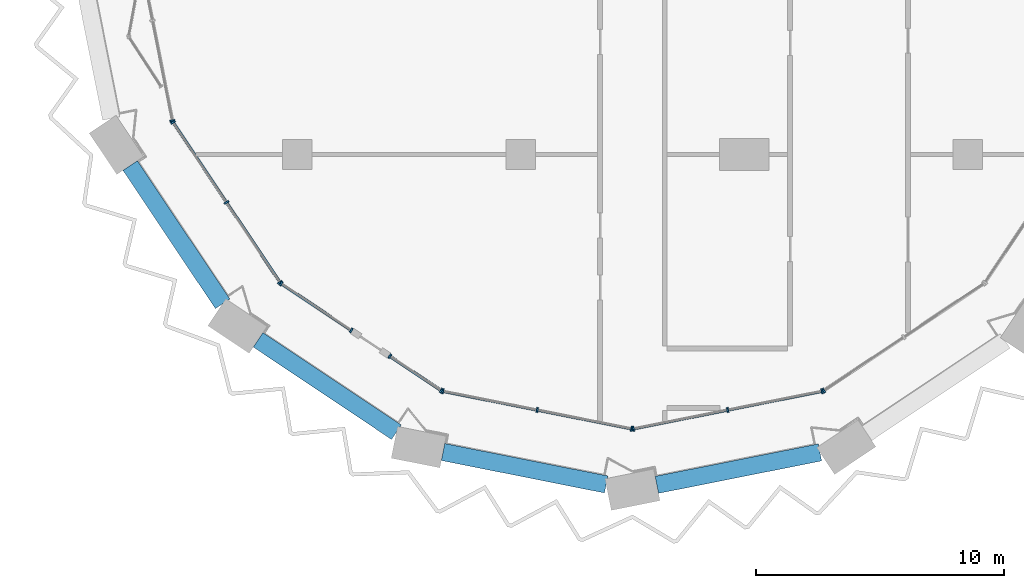
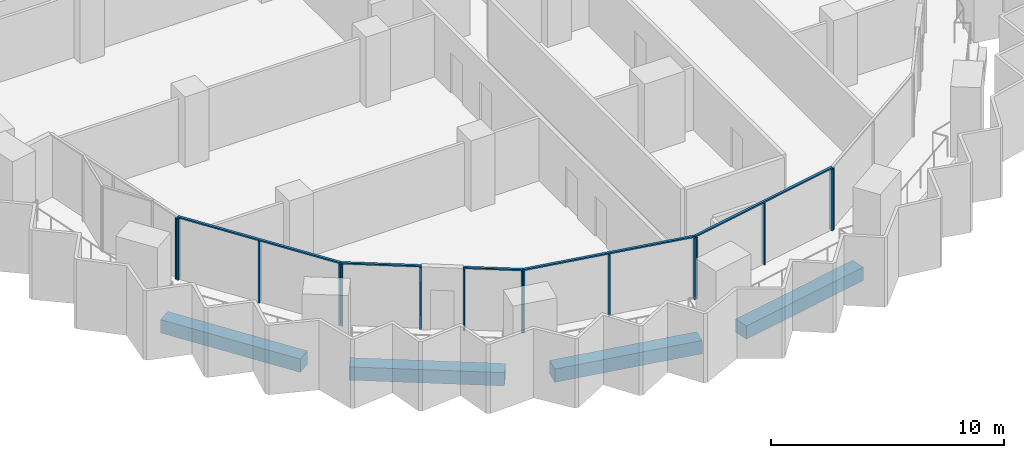
# One storey, part 2 of 23: 20 members, 4 beams, 7 elements without a shape of their own.
"""IFC4 building model written with IfcOpenShell, lengths in metres."""

from ifc_helpers import new_model, si_unit, direction, frame, origin, origin_2d, place, context, subcontext, project, spatial, rectangle, extrude, material, material_profile, profile_set, type_object, element, aggregate, save


model = new_model("IFC4")

# Units and contexts
model_context = context("Model", 3, precision=1e-05, world=origin(), true_north=direction((0.0, 1.0)))
body_context = subcontext(model_context, "Body", "Model", "MODEL_VIEW")
ifc_project = project(units=[si_unit("LENGTHUNIT", "METRE"), si_unit("AREAUNIT", "SQUARE_METRE"), si_unit("VOLUMEUNIT", "CUBIC_METRE"), si_unit("PLANEANGLEUNIT", "RADIAN"), si_unit("MASSUNIT", "GRAM", prefix="KILO")], contexts=[model_context])

# Site, building, storey
site_placement = place(None, origin())
site = spatial("IfcSite", under=ifc_project, at=site_placement, CompositionType="ELEMENT")
building_placement = place(site_placement, origin())
building = spatial("IfcBuilding", under=site, at=building_placement, Name="Hunhe Ridgeline Campus", CompositionType="ELEMENT")
storey_placement = place(building_placement, frame((0.0, 0.0, 167.10009765625)))
storey = spatial("IfcBuildingStorey", under=building, at=storey_placement, Name="L42", CompositionType="ELEMENT", Elevation=167.10009765625)

# Curtain wall, member
ifc_material_1 = material(Name="Aluminium 6063", Category="aluminium")
curtain_wall_type = type_object("IfcCurtainWallType", Name="Curtain wall CW-5", PredefinedType="NOTDEFINED", material=ifc_material_1)
curtain_wall_1_placement = place(storey_placement, origin())
curtain_wall_1 = element("IfcCurtainWall", 1, at=curtain_wall_1_placement, inside=storey, type_object=curtain_wall_type, Name="Curtain wall 01", PredefinedType="NOTDEFINED")
ifc_material_profile_1 = material_profile(ifc_material_1, rectangle(XDim=0.199951171875, YDim=0.070068359375, at=origin_2d()))
ifc_profile_set_1 = profile_set([ifc_material_profile_1], Name="Aluminium 6063")
member_type_1 = type_object("IfcMemberType", Name="CW-5 aluminium mullion", PredefinedType="MULLION", material=ifc_profile_set_1)
member_1_placement = place(storey_placement, frame((3.967529296875, 19.36083984375, 0.0), z_axis=(0.0, 0.0, 1.0), x_axis=(0.980784280831, 0.195095347137, 0.0)))
member_1 = element("IfcMember", 2, at=member_1_placement, type_object=member_type_1, Name="CW-5 mullion 3", PredefinedType="MULLION", context=body_context, shape_type="SweptSolid", body=[
    extrude(rectangle(XDim=0.199951171875, YDim=0.070068359375, at=origin_2d()), origin(), (0.0, 0.0, 1.0), 3.22998046875),
])
aggregate(curtain_wall_1, [member_1])

# Curtain wall, members
curtain_wall_2_placement = place(storey_placement, origin())
curtain_wall_2 = element("IfcCurtainWall", 3, at=curtain_wall_2_placement, inside=storey, type_object=curtain_wall_type, Name="Curtain wall 02", PredefinedType="NOTDEFINED")
member_2_placement = place(storey_placement, frame((3.993896484375, 19.29736328125, 0.0), z_axis=(0.0, 0.0, 1.0), x_axis=(0.831469584522, 0.555570274596, 0.0)))
member_2 = element("IfcMember", 4, at=member_2_placement, type_object=member_type_1, Name="CW-5 mullion 1", PredefinedType="MULLION", context=body_context, shape_type="SweptSolid", body=[
    extrude(rectangle(XDim=0.199951171875, YDim=0.070068359375, at=origin_2d()), origin(), (0.0, 0.0, 1.0), 3.22998046875),
])
member_3_placement = place(storey_placement, frame((6.147705078125, 16.07373046875, 0.0), z_axis=(0.0, 0.0, 1.0), x_axis=(0.831469584522, 0.555570274596, 0.0)))
member_3 = element("IfcMember", 5, at=member_3_placement, type_object=member_type_1, Name="CW-5 mullion 2", PredefinedType="MULLION", context=body_context, shape_type="SweptSolid", body=[
    extrude(rectangle(XDim=0.199951171875, YDim=0.070068359375, at=origin_2d()), origin(), (0.0, 0.0, 1.0), 3.22998046875),
])
member_4_placement = place(storey_placement, frame((8.3017578125, 12.850341796875, 0.0), z_axis=(0.0, 0.0, 1.0), x_axis=(0.831469584522, 0.555570274596, 0.0)))
member_4 = element("IfcMember", 6, at=member_4_placement, type_object=member_type_1, Name="CW-5 mullion 3", PredefinedType="MULLION", context=body_context, shape_type="SweptSolid", body=[
    extrude(rectangle(XDim=0.199951171875, YDim=0.070068359375, at=origin_2d()), origin(), (0.0, 0.0, 1.0), 3.22998046875),
])

curtain_wall_3_placement = place(storey_placement, origin())
curtain_wall_3 = element("IfcCurtainWall", 7, at=curtain_wall_3_placement, inside=storey, type_object=curtain_wall_type, Name="Curtain wall 03", PredefinedType="NOTDEFINED")
member_5_placement = place(storey_placement, frame((8.350341796875, 12.8017578125, 0.0), z_axis=(0.0, 0.0, 1.0), x_axis=(0.555570257501, 0.831469595944, 0.0)))
member_5 = element("IfcMember", 8, at=member_5_placement, type_object=member_type_1, Name="CW-5 mullion 1", PredefinedType="MULLION", context=body_context, shape_type="SweptSolid", body=[
    extrude(rectangle(XDim=0.199951171875, YDim=0.070068359375, at=origin_2d()), origin(), (0.0, 0.0, 1.0), 3.22998046875),
])
member_6_placement = place(storey_placement, frame((11.17041015625, 10.917236328125, 0.0), z_axis=(0.0, 0.0, 1.0), x_axis=(0.555570257501, 0.831469595944, 0.0)))
member_6 = element("IfcMember", 9, at=member_6_placement, type_object=member_type_1, Name="CW-5 mullion 2", PredefinedType="MULLION", context=body_context, shape_type="SweptSolid", body=[
    extrude(rectangle(XDim=0.199951171875, YDim=0.070068359375, at=origin_2d()), origin(), (0.0, 0.0, 1.0), 3.22998046875),
])

curtain_wall_4_placement = place(storey_placement, origin())
curtain_wall_4 = element("IfcCurtainWall", 10, at=curtain_wall_4_placement, inside=storey, type_object=curtain_wall_type, Name="Curtain wall 04", PredefinedType="NOTDEFINED")
member_7_placement = place(storey_placement, frame((12.725341796875, 9.87841796875, 0.0), z_axis=(0.0, 0.0, 1.0), x_axis=(0.555570385598, 0.831469510353, 0.0)))
member_7 = element("IfcMember", 11, at=member_7_placement, type_object=member_type_1, Name="CW-5 mullion 1", PredefinedType="MULLION", context=body_context, shape_type="SweptSolid", body=[
    extrude(rectangle(XDim=0.199951171875, YDim=0.070068359375, at=origin_2d()), origin(), (0.0, 0.0, 1.0), 3.22998046875),
])
member_8_placement = place(storey_placement, frame((14.79736328125, 8.493896484375, 0.0), z_axis=(0.0, 0.0, 1.0), x_axis=(0.555570385598, 0.831469510353, 0.0)))
member_8 = element("IfcMember", 12, at=member_8_placement, type_object=member_type_1, Name="CW-5 mullion 2", PredefinedType="MULLION", context=body_context, shape_type="SweptSolid", body=[
    extrude(rectangle(XDim=0.199951171875, YDim=0.070068359375, at=origin_2d()), origin(), (0.0, 0.0, 1.0), 3.22998046875),
])

curtain_wall_5_placement = place(storey_placement, origin())
curtain_wall_5 = element("IfcCurtainWall", 13, at=curtain_wall_5_placement, inside=storey, type_object=curtain_wall_type, Name="Curtain wall 05", PredefinedType="NOTDEFINED")
member_9_placement = place(storey_placement, frame((14.86083984375, 8.467529296875, 0.0), z_axis=(0.0, 0.0, 1.0), x_axis=(0.195090347539, 0.980785275326, 0.0)))
member_9 = element("IfcMember", 14, at=member_9_placement, type_object=member_type_1, Name="CW-5 mullion 1", PredefinedType="MULLION", context=body_context, shape_type="SweptSolid", body=[
    extrude(rectangle(XDim=0.199951171875, YDim=0.070068359375, at=origin_2d()), origin(), (0.0, 0.0, 1.0), 3.22998046875),
])
member_10_placement = place(storey_placement, frame((18.663330078125, 7.711181640625, 0.0), z_axis=(0.0, 0.0, 1.0), x_axis=(0.195090347539, 0.980785275326, 0.0)))
member_10 = element("IfcMember", 15, at=member_10_placement, type_object=member_type_1, Name="CW-5 mullion 2", PredefinedType="MULLION", context=body_context, shape_type="SweptSolid", body=[
    extrude(rectangle(XDim=0.199951171875, YDim=0.070068359375, at=origin_2d()), origin(), (0.0, 0.0, 1.0), 3.22998046875),
])
member_11_placement = place(storey_placement, frame((22.465576171875, 6.954833984375, 0.0), z_axis=(0.0, 0.0, 1.0), x_axis=(0.195090347539, 0.980785275326, 0.0)))
member_11 = element("IfcMember", 16, at=member_11_placement, type_object=member_type_1, Name="CW-5 mullion 3", PredefinedType="MULLION", context=body_context, shape_type="SweptSolid", body=[
    extrude(rectangle(XDim=0.199951171875, YDim=0.070068359375, at=origin_2d()), origin(), (0.0, 0.0, 1.0), 3.22998046875),
])

curtain_wall_6_placement = place(storey_placement, origin())
curtain_wall_6 = element("IfcCurtainWall", 17, at=curtain_wall_6_placement, inside=storey, type_object=curtain_wall_type, Name="Curtain wall 06", PredefinedType="NOTDEFINED")
member_12_placement = place(storey_placement, frame((22.534423828125, 6.954833984375, 0.0), z_axis=(0.0, 0.0, 1.0), x_axis=(-0.195090347539, 0.980785275326, 0.0)))
member_12 = element("IfcMember", 18, at=member_12_placement, type_object=member_type_1, Name="CW-5 mullion 1", PredefinedType="MULLION", context=body_context, shape_type="SweptSolid", body=[
    extrude(rectangle(XDim=0.199951171875, YDim=0.070068359375, at=origin_2d()), origin(), (0.0, 0.0, 1.0), 3.22998046875),
])
member_13_placement = place(storey_placement, frame((26.336669921875, 7.711181640625, 0.0), z_axis=(0.0, 0.0, 1.0), x_axis=(-0.195090347539, 0.980785275326, 0.0)))
member_13 = element("IfcMember", 19, at=member_13_placement, type_object=member_type_1, Name="CW-5 mullion 2", PredefinedType="MULLION", context=body_context, shape_type="SweptSolid", body=[
    extrude(rectangle(XDim=0.199951171875, YDim=0.070068359375, at=origin_2d()), origin(), (0.0, 0.0, 1.0), 3.22998046875),
])
member_14_placement = place(storey_placement, frame((30.13916015625, 8.467529296875, 0.0), z_axis=(0.0, 0.0, 1.0), x_axis=(-0.195090347539, 0.980785275326, 0.0)))
member_14 = element("IfcMember", 20, at=member_14_placement, type_object=member_type_1, Name="CW-5 mullion 3", PredefinedType="MULLION", context=body_context, shape_type="SweptSolid", body=[
    extrude(rectangle(XDim=0.199951171875, YDim=0.070068359375, at=origin_2d()), origin(), (0.0, 0.0, 1.0), 3.22998046875),
])

# Curtain wall, member
curtain_wall_7_placement = place(storey_placement, origin())
curtain_wall_7 = element("IfcCurtainWall", 21, at=curtain_wall_7_placement, inside=storey, type_object=curtain_wall_type, Name="Curtain wall 07", PredefinedType="NOTDEFINED")
member_15_placement = place(storey_placement, frame((30.20263671875, 8.493896484375, 0.0), z_axis=(0.0, 0.0, 1.0), x_axis=(-0.555570274596, 0.831469584522, 0.0)))
member_15 = element("IfcMember", 22, at=member_15_placement, type_object=member_type_1, Name="CW-5 mullion 1", PredefinedType="MULLION", context=body_context, shape_type="SweptSolid", body=[
    extrude(rectangle(XDim=0.199951171875, YDim=0.070068359375, at=origin_2d()), origin(), (0.0, 0.0, 1.0), 3.22998046875),
])
aggregate(curtain_wall_7, [member_15])

# Member
ifc_material_profile_2 = material_profile(ifc_material_1, rectangle(XDim=0.1201171875, YDim=0.070068359375, at=origin_2d()))
ifc_profile_set_2 = profile_set([ifc_material_profile_2], Name="Aluminium 6063")
member_type_2 = type_object("IfcMemberType", Name="CW-5 aluminium transom", PredefinedType="USERDEFINED", material=ifc_profile_set_2)
member_16_placement = place(storey_placement, frame((3.974365234375, 19.326416015625, 3.264892578125), z_axis=(0.5555640203, -0.831473763475, 0.0), x_axis=(0.831473763475, 0.5555640203, 0.0)))
member_16 = element("IfcMember", 23, at=member_16_placement, type_object=member_type_2, Name="CW-5 transom 1", ObjectType="TRANSOM", PredefinedType="USERDEFINED", context=body_context, shape_type="SweptSolid", body=[
    extrude(rectangle(XDim=0.1201171875, YDim=0.070068359375, at=origin_2d()), origin(), (0.0, 0.0, 1.0), 7.823974609375),
])

aggregate(curtain_wall_2, [member_16, member_2, member_3, member_4])

member_17_placement = place(storey_placement, frame((8.321044921875, 12.821044921875, 3.264892578125), z_axis=(0.831485714606, -0.555546133463, 0.0), x_axis=(0.555546133463, 0.831485714606, 0.0)))
member_17 = element("IfcMember", 24, at=member_17_placement, type_object=member_type_2, Name="CW-5 transom 1", ObjectType="TRANSOM", PredefinedType="USERDEFINED", context=body_context, shape_type="SweptSolid", body=[
    extrude(rectangle(XDim=0.1201171875, YDim=0.070068359375, at=origin_2d()), origin(), (0.0, 0.0, 1.0), 3.462158203125),
])

aggregate(curtain_wall_3, [member_17, member_5, member_6])

member_18_placement = place(storey_placement, frame((12.6962890625, 9.897705078125, 3.264892578125), z_axis=(0.831463388334, -0.555579547735, 0.0), x_axis=(0.555579547735, 0.831463388334, 0.0)))
member_18 = element("IfcMember", 25, at=member_18_placement, type_object=member_type_2, Name="CW-5 transom 1", ObjectType="TRANSOM", PredefinedType="USERDEFINED", context=body_context, shape_type="SweptSolid", body=[
    extrude(rectangle(XDim=0.1201171875, YDim=0.070068359375, at=origin_2d()), origin(), (0.0, 0.0, 1.0), 2.56201171875),
])

aggregate(curtain_wall_4, [member_18, member_7, member_8])

member_19_placement = place(storey_placement, frame((14.826416015625, 8.474365234375, 3.264892578125), z_axis=(0.980785367689, -0.195089883198, 0.0), x_axis=(0.195089883198, 0.980785367689, 0.0)))
member_19 = element("IfcMember", 26, at=member_19_placement, type_object=member_type_2, Name="CW-5 transom 1", ObjectType="TRANSOM", PredefinedType="USERDEFINED", context=body_context, shape_type="SweptSolid", body=[
    extrude(rectangle(XDim=0.1201171875, YDim=0.070068359375, at=origin_2d()), origin(), (0.0, 0.0, 1.0), 7.823974609375),
])

aggregate(curtain_wall_5, [member_19, member_9, member_10, member_11])

member_20_placement = place(storey_placement, frame((22.5, 6.947998046875, 3.264892578125), z_axis=(0.980785367689, 0.195089883198, 0.0), x_axis=(-0.195089883198, 0.980785367689, 0.0)))
member_20 = element("IfcMember", 27, at=member_20_placement, type_object=member_type_2, Name="CW-5 transom 1", ObjectType="TRANSOM", PredefinedType="USERDEFINED", context=body_context, shape_type="SweptSolid", body=[
    extrude(rectangle(XDim=0.1201171875, YDim=0.070068359375, at=origin_2d()), origin(), (0.0, 0.0, 1.0), 7.823974609375),
])

aggregate(curtain_wall_6, [member_20, member_12, member_13, member_14])

# Beams
ifc_material_2 = material(Name="Concrete C60", Category="concrete")
ifc_material_profile_3 = material_profile(ifc_material_2, rectangle(XDim=0.699951171875, YDim=0.699951171875, at=origin_2d()))
ifc_profile_set_3 = profile_set([ifc_material_profile_3], Name="Concrete C60")
beam_type = type_object("IfcBeamType", Name="RC spandrel beam 700x700 Concrete C60", PredefinedType="SPANDREL", material=ifc_profile_set_3)
for number, where, z_axis, x_axis, name in (
    (28, (2.268310546875, 17.55810546875, -0.60009765625), (0.555566447474, -0.831472141711, 0.0), (0.831472141711, 0.555566447474, 0.0), "Spandrel beam B2-2 L42"),
    (29, (7.421630859375, 10.534423828125, -0.60009765625), (0.831472141711, -0.555566447474, 0.0), (0.555566447474, 0.831472141711, 0.0), "Spandrel beam B2-3 L42"),
    (30, (14.870361328125, 6.017578125, -0.60009765625), (0.980787647999, -0.195078418929, 0.0), (0.195078418929, 0.980787647999, 0.0), "Spandrel beam B2-4 L42"),
    (31, (23.480712890625, 4.695068359375, -0.60009765625), (0.980787647999, 0.195078418929, 0.0), (-0.195078418929, 0.980787647999, 0.0), "Spandrel beam B2-5 L42"),
):
    element("IfcBeam", number, at=place(storey_placement, frame(where, z_axis=z_axis, x_axis=x_axis)), inside=storey, type_object=beam_type, Name=name, PredefinedType="SPANDREL", context=body_context, shape_type="SweptSolid", body=[
        extrude(rectangle(XDim=0.699951171875, YDim=0.699951171875, at=origin_2d()), origin(), (0.0, 0.0, 1.0), 6.69677734375),
    ])

save(model, "model.ifc")
